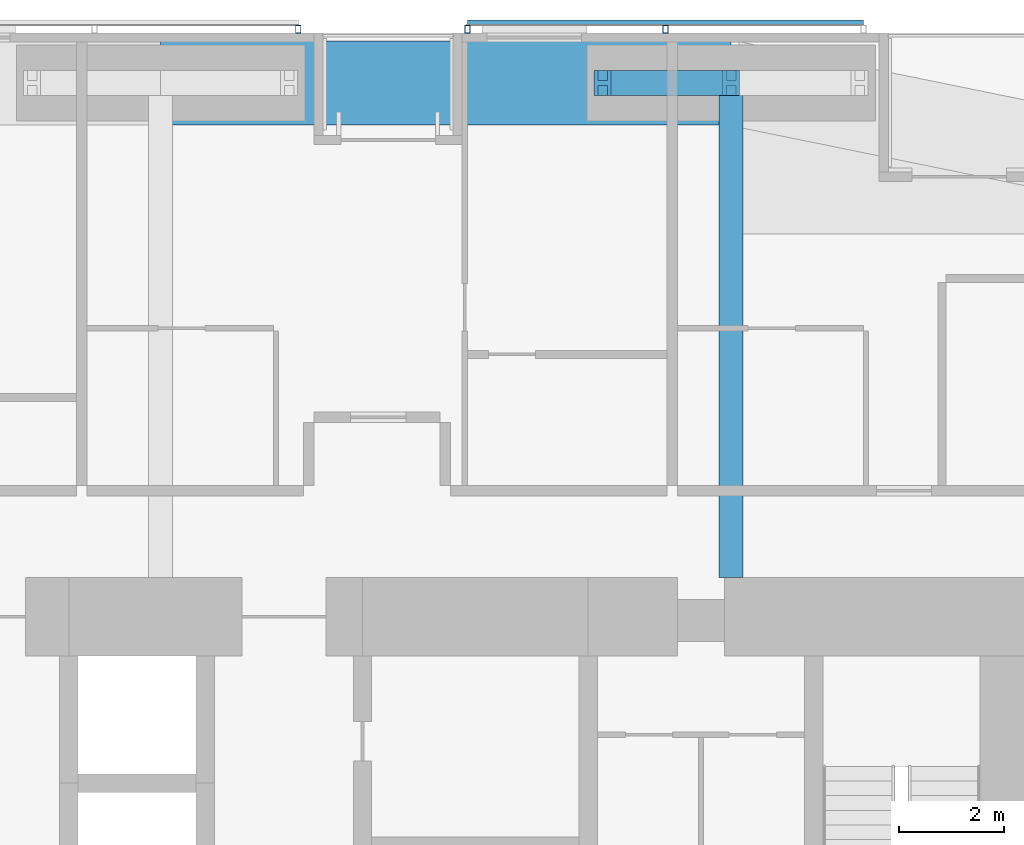
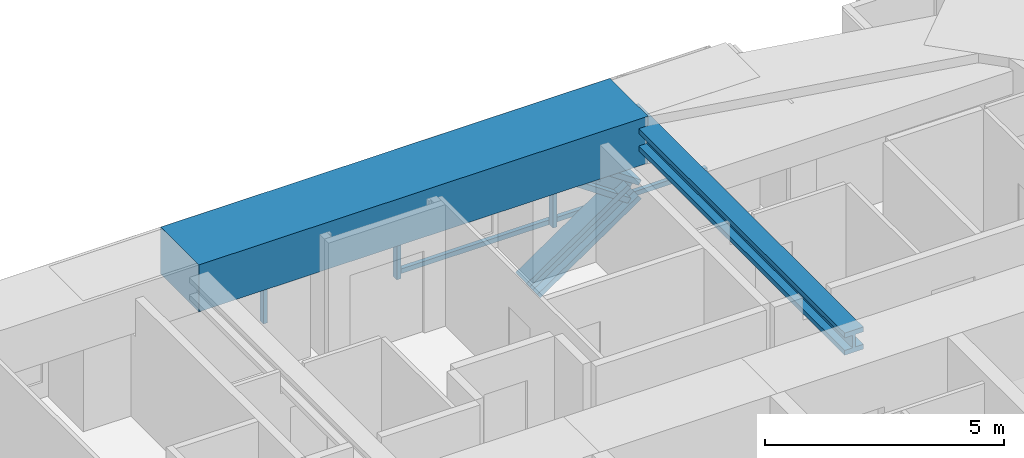
# One storey, part 13 of 24: 6 members, 2 beams, 2 elements without a shape of their own.
"""IFC4 building model written with IfcOpenShell, lengths in metres."""

from ifc_helpers import new_model, si_unit, direction, frame, origin, origin_2d, place, context, subcontext, project, spatial, rectangle, hollow_rectangle, i_section, extrude, material, material_profile, profile_set, type_object, element, aggregate, save


model = new_model("IFC4")

# Units and contexts
model_context = context("Model", 3, precision=1e-05, world=origin(), true_north=direction((0.0, 1.0)))
body_context = subcontext(model_context, "Body", "Model", "MODEL_VIEW")
ifc_project = project(units=[si_unit("LENGTHUNIT", "METRE"), si_unit("AREAUNIT", "SQUARE_METRE"), si_unit("VOLUMEUNIT", "CUBIC_METRE"), si_unit("PLANEANGLEUNIT", "RADIAN"), si_unit("MASSUNIT", "GRAM", prefix="KILO")], contexts=[model_context])

# Site, building, storey
site_placement = place(None, origin())
site = spatial("IfcSite", under=ifc_project, at=site_placement, CompositionType="ELEMENT")
building_placement = place(site_placement, origin())
building = spatial("IfcBuilding", under=site, at=building_placement, Name="Jalousie Tower", CompositionType="ELEMENT")
storey_placement = place(building_placement, frame((0.0, 0.0, 91.449951171875)))
storey = spatial("IfcBuildingStorey", under=building, at=storey_placement, Name="L24", CompositionType="ELEMENT", Elevation=91.449951171875)

# Beam
ifc_material_1 = material(Name="Steel ASTM A992 Grade 50", Category="steel")
ifc_material_profile_1 = material_profile(ifc_material_1, i_section(OverallWidth=0.45458984375, OverallDepth=0.569091796875, WebThickness=0.077880859375, FlangeThickness=0.124755859375, at=origin_2d()), Name="W14X730")
ifc_profile_set_1 = profile_set([ifc_material_profile_1], Name="Steel ASTM A992 Grade 50")
beam_type_1 = type_object("IfcBeamType", Name="LEAN COLLECTOR W14X730", PredefinedType="BEAM", material=ifc_profile_set_1)
beam_1_placement = place(storey_placement, frame((38.625, 37.050048828125, 2.825439453125), z_axis=(0.0, -1.0, 0.0), x_axis=(1.0, 0.0, 0.0)))
element("IfcBeam", 1, at=beam_1_placement, inside=storey, type_object=beam_type_1, Name="Lean collector under L25", PredefinedType="BEAM", context=body_context, shape_type="SweptSolid", body=[
    extrude(i_section(OverallWidth=0.45458984375, OverallDepth=0.569091796875, WebThickness=0.077880859375, FlangeThickness=0.124755859375, at=origin_2d()), origin(), (0.0, 0.0, 1.0), 9.425048828125),
])

# Members
ifc_material_2 = material(Name="Steel ASTM A992 Grade 50", Category="steel")
ifc_material_profile_2 = material_profile(ifc_material_2, i_section(OverallWidth=0.472412109375, OverallDepth=0.5791015625, WebThickness=0.094970703125, FlangeThickness=0.1298828125, at=origin_2d()), Name="W14X808")
ifc_profile_set_2 = profile_set([ifc_material_profile_2], Name="Steel ASTM A992 Grade 50")
member_type_1 = type_object("IfcMemberType", Name="PERIMETER BRACE W14X808", PredefinedType="BRACE", material=ifc_profile_set_2)
for number, where, z_axis, x_axis, name in (
    (2, (36.175048828125, 37.050048828125, -0.599853515625), (0.825539243753, 0.0, 0.564344714713), (0.0, 1.0, 0.0), "Perimeter brace 09 L24 part 1"),
    (3, (38.625, 37.050048828125, 1.074951171875), (-0.825500916831, 0.0, 0.564400776321), (0.0, -1.0, 0.0), "Perimeter brace 09 L24 part 4"),
):
    element("IfcMember", number, at=place(storey_placement, frame(where, z_axis=z_axis, x_axis=x_axis)), inside=storey, type_object=member_type_1, Name=name, PredefinedType="BRACE", context=body_context, shape_type="SweptSolid", body=[
        extrude(i_section(OverallWidth=0.472412109375, OverallDepth=0.5791015625, WebThickness=0.094970703125, FlangeThickness=0.1298828125, at=origin_2d()), origin(), (0.0, 0.0, 1.0), 2.9677734375),
    ])

# Beam
ifc_material_3 = material(Name="Concrete f'c 40 MPa", Category="concrete")
ifc_material_profile_3 = material_profile(ifc_material_3, rectangle(XDim=1.60009765625, YDim=1.199951171875, at=origin_2d()), Name="RC 1600x1200")
ifc_profile_set_3 = profile_set([ifc_material_profile_3], Name="Concrete f'c 40 MPa")
beam_type_2 = type_object("IfcBeamType", Name="RC BEAM 1600x1200", PredefinedType="BEAM", material=ifc_profile_set_3)
beam_2_placement = place(storey_placement, frame((38.625, 37.050048828125, 2.75), z_axis=(-1.0, 0.0, 0.0), x_axis=(0.0, -1.0, 0.0)))
element("IfcBeam", 4, at=beam_2_placement, inside=storey, type_object=beam_type_2, Name="Edge band beam 09-10 under L25", PredefinedType="BEAM", context=body_context, shape_type="SweptSolid", body=[
    extrude(rectangle(XDim=1.60009765625, YDim=1.199951171875, at=origin_2d()), origin(), (0.0, 0.0, 1.0), 10.875),
])

# Curtain wall, members
ifc_material_4 = material(Name="Perforated aluminium sheet", Category="aluminium")
curtain_wall_type = type_object("IfcCurtainWallType", Name="SOLAR SCREEN SS-1", PredefinedType="USERDEFINED", material=ifc_material_4)
curtain_wall_1_placement = place(storey_placement, origin())
curtain_wall_1 = element("IfcCurtainWall", 5, at=curtain_wall_1_placement, inside=storey, type_object=curtain_wall_type, Name="Solar screen L24", ObjectType="SOLAR SCREEN SS-1", PredefinedType="USERDEFINED")
ifc_material_5 = material(Name="Steel ASTM A500 Grade C", Category="steel")
ifc_material_profile_4 = material_profile(ifc_material_5, hollow_rectangle(XDim=0.1015625, YDim=0.15234375, WallThickness=0.00634765625, at=origin_2d()), Name="HSS6X4X1/4")
ifc_profile_set_4 = profile_set([ifc_material_profile_4], Name="Steel ASTM A500 Grade C")
member_type_2 = type_object("IfcMemberType", Name="SOLAR SCREEN SS-1 MULLION", PredefinedType="MULLION", material=ifc_profile_set_4)
member_1_placement = place(storey_placement, frame((37.374267578125, 38.0712890625, -0.119873046875), z_axis=(0.0, 0.0, 1.0), x_axis=(-1.0, 0.0, 0.0)))
member_1 = element("IfcMember", 6, at=member_1_placement, type_object=member_type_2, Name="SS1 post 2", PredefinedType="MULLION", context=body_context, shape_type="SweptSolid", body=[
    extrude(hollow_rectangle(XDim=0.1015625, YDim=0.15234375, WallThickness=0.00634765625, at=origin_2d()), origin(), (0.0, 0.0, 1.0), 3.22998046875),
])
member_2_placement = place(storey_placement, frame((33.60009765625, 38.0712890625, -0.119873046875), z_axis=(0.0, 0.0, 1.0), x_axis=(-1.0, 0.0, 0.0)))
member_2 = element("IfcMember", 7, at=member_2_placement, type_object=member_type_2, Name="SS1 post 3", PredefinedType="MULLION", context=body_context, shape_type="SweptSolid", body=[
    extrude(hollow_rectangle(XDim=0.1015625, YDim=0.15234375, WallThickness=0.00634765625, at=origin_2d()), origin(), (0.0, 0.0, 1.0), 3.22998046875),
])

# Curtain wall, member
curtain_wall_2_placement = place(storey_placement, origin())
curtain_wall_2 = element("IfcCurtainWall", 8, at=curtain_wall_2_placement, inside=storey, type_object=curtain_wall_type, Name="Solar screen L24", ObjectType="SOLAR SCREEN SS-1", PredefinedType="USERDEFINED")
member_3_placement = place(storey_placement, frame((30.375, 38.0712890625, -0.119873046875), z_axis=(0.0, 0.0, 1.0), x_axis=(-1.0, 0.0, 0.0)))
member_3 = element("IfcMember", 9, at=member_3_placement, type_object=member_type_2, Name="SS1 post 1", PredefinedType="MULLION", context=body_context, shape_type="SweptSolid", body=[
    extrude(hollow_rectangle(XDim=0.1015625, YDim=0.15234375, WallThickness=0.00634765625, at=origin_2d()), origin(), (0.0, 0.0, 1.0), 3.22998046875),
])
aggregate(curtain_wall_2, [member_3])

# Member
ifc_material_6 = material(Name="Extruded aluminium screen rail", Category="aluminium")
ifc_material_profile_5 = material_profile(ifc_material_6, rectangle(XDim=0.1015625, YDim=0.1201171875, at=origin_2d()), Name="RAIL 102x120")
ifc_profile_set_5 = profile_set([ifc_material_profile_5], Name="Extruded aluminium screen rail")
member_type_3 = type_object("IfcMemberType", Name="SOLAR SCREEN SS-1 TRANSOM", PredefinedType="USERDEFINED", material=ifc_profile_set_5)
member_4_placement = place(storey_placement, frame((41.148681640625, 38.1982421875, -0.06005859375), z_axis=(-1.0, 0.0, 0.0), x_axis=(0.0, -1.0, 0.0)))
member_4 = element("IfcMember", 10, at=member_4_placement, type_object=member_type_3, Name="SS1 rail", ObjectType="TRANSOM", PredefinedType="USERDEFINED", context=body_context, shape_type="SweptSolid", body=[
    extrude(rectangle(XDim=0.1015625, YDim=0.1201171875, at=origin_2d()), origin(), (0.0, 0.0, 1.0), 7.548583984375),
])

aggregate(curtain_wall_1, [member_1, member_2, member_4])

save(model, "model.ifc")
